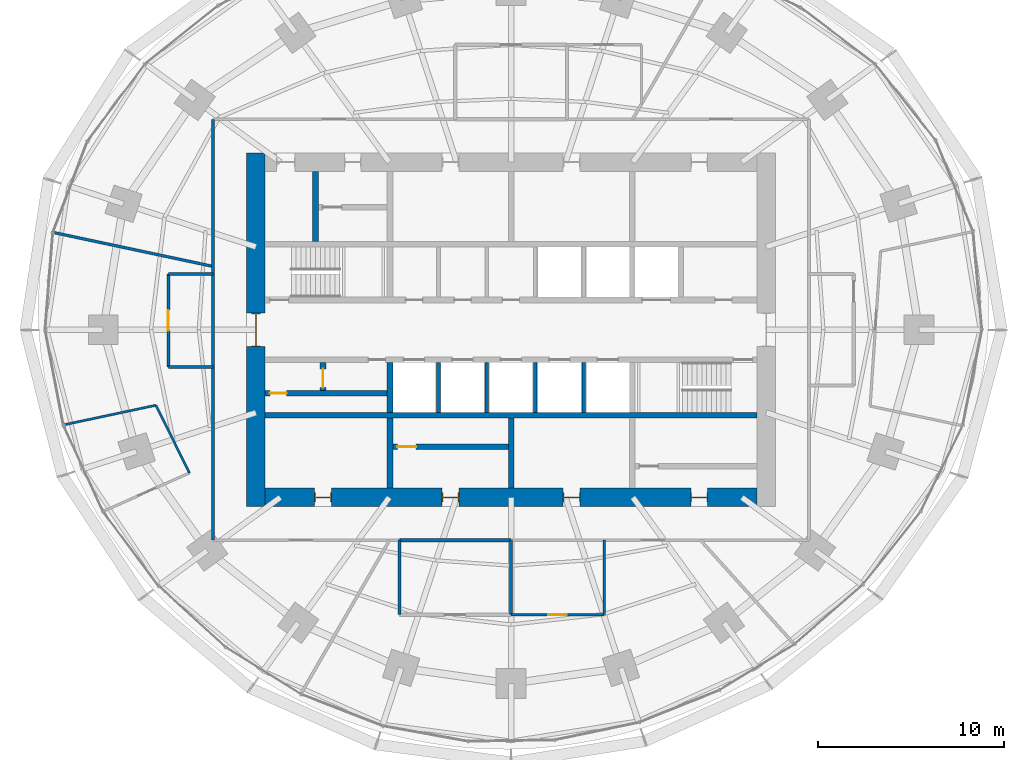
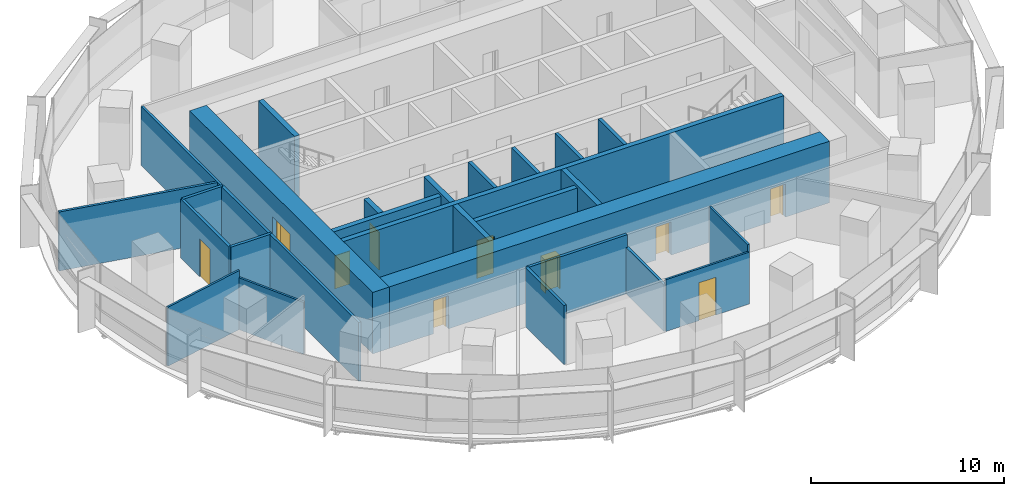
# One storey, part 10 of 14: 28 walls, 10 doors, 10 openings.
"""IFC4 building model written with IfcOpenShell, lengths in metres."""

from ifc_helpers import new_model, si_unit, direction, frame, frame_2d, origin, place, context, subcontext, project, spatial, rectangle, extrude, material, layer, layer_set, type_object, element, fill, save


model = new_model("IFC4")

# Units and contexts
model_context = context("Model", 3, precision=1e-05, world=origin(), true_north=direction((0.0, 1.0)))
body_context = subcontext(model_context, "Body", "Model", "MODEL_VIEW")
ifc_project = project(units=[si_unit("LENGTHUNIT", "METRE"), si_unit("AREAUNIT", "SQUARE_METRE"), si_unit("VOLUMEUNIT", "CUBIC_METRE"), si_unit("PLANEANGLEUNIT", "RADIAN"), si_unit("MASSUNIT", "GRAM", prefix="KILO")], contexts=[model_context])

# Site, building, storey
site_placement = place(None, origin())
site = spatial("IfcSite", under=ifc_project, at=site_placement, CompositionType="ELEMENT")
building_placement = place(site_placement, origin())
building = spatial("IfcBuilding", under=site, at=building_placement, Name="Marramba Exchange Tower", CompositionType="ELEMENT")
storey_placement = place(building_placement, frame((0.0, 0.0, 123.60009765625)))
storey = spatial("IfcBuildingStorey", under=building, at=storey_placement, Name="L29", CompositionType="ELEMENT", Elevation=123.60009765625)

# Walls
ifc_material_1 = material(Name="Plasterboard on staggered double steel studs, acoustic insulation", Category="steel")
ifc_layer_1 = layer(ifc_material_1, 0.169921875)
ifc_layer_set_1 = layer_set([ifc_layer_1], Name="Acoustic partition 170")
wall_type_1 = type_object("IfcWallType", Name="Acoustic partition 170", PredefinedType="PARTITIONING", material=ifc_layer_set_1)
wall_1_placement = place(storey_placement, frame((-18.39990234375, -2.0, 0.0), z_axis=(0.0, 0.0, 1.0), x_axis=(1.0, 0.0, 0.0)))
element("IfcWall", 1, at=wall_1_placement, inside=storey, type_object=wall_type_1, Name="Acoustic partition L29 01", PredefinedType="PARTITIONING", context=body_context, shape_type="SweptSolid", body=[
    extrude(rectangle(XDim=2.39990234375, YDim=0.169921875, at=frame_2d((1.199951171875, 0.0))), origin(), (0.0, 0.0, 1.0), 3.739990234375),
])
wall_2_placement = place(storey_placement, frame((-6.0, -11.300048828125, 0.0), z_axis=(0.0, 0.0, 1.0), x_axis=(0.0, -1.0, 0.0)))
element("IfcWall", 2, at=wall_2_placement, inside=storey, type_object=wall_type_1, Name="Acoustic partition L29 08", PredefinedType="PARTITIONING", context=body_context, shape_type="SweptSolid", body=[
    extrude(rectangle(XDim=4.0, YDim=0.169921875, at=frame_2d((2.0, 0.0))), origin(), (0.0, 0.0, 1.0), 3.739990234375),
])
wall_3_placement = place(storey_placement, frame((0.0, -11.300048828125, 0.0), z_axis=(0.0, 0.0, 1.0), x_axis=(-1.0, 0.0, 0.0)))
element("IfcWall", 3, at=wall_3_placement, inside=storey, type_object=wall_type_1, Name="Acoustic partition L29 09", PredefinedType="PARTITIONING", context=body_context, shape_type="SweptSolid", body=[
    extrude(rectangle(XDim=6.0, YDim=0.169921875, at=frame_2d((3.0, 0.0))), origin(), (0.0, 0.0, 1.0), 3.739990234375),
])
wall_4_placement = place(storey_placement, frame((0.0, -11.300048828125, 0.0), z_axis=(0.0, 0.0, 1.0), x_axis=(0.0, -1.0, 0.0)))
element("IfcWall", 4, at=wall_4_placement, inside=storey, type_object=wall_type_1, Name="Acoustic partition L29 11", PredefinedType="PARTITIONING", context=body_context, shape_type="SweptSolid", body=[
    extrude(rectangle(XDim=4.0, YDim=0.169921875, at=frame_2d((2.0, 0.0))), origin(), (0.0, 0.0, 1.0), 2.93994140625),
])
wall_5_placement = place(storey_placement, frame((-16.0, 3.0, 0.0), z_axis=(0.0, 0.0, 1.0), x_axis=(-1.0, 0.0, 0.0)))
element("IfcWall", 5, at=wall_5_placement, inside=storey, type_object=wall_type_1, Name="Acoustic partition L29 36", PredefinedType="PARTITIONING", context=body_context, shape_type="SweptSolid", body=[
    extrude(rectangle(XDim=2.39990234375, YDim=0.169921875, at=frame_2d((1.199951171875, 0.0))), origin(), (0.0, 0.0, 1.0), 3.739990234375),
])
wall_6_placement = place(storey_placement, frame((-16.0, -2.0, 0.0), z_axis=(0.0, 0.0, 1.0), x_axis=(0.0, 1.0, 0.0)))
element("IfcWall", 6, at=wall_6_placement, inside=storey, type_object=wall_type_1, Name="Acoustic partition L29 37", PredefinedType="PARTITIONING", context=body_context, shape_type="SweptSolid", body=[
    extrude(rectangle(XDim=5.0, YDim=0.169921875, at=frame_2d((2.5, 0.0))), origin(), (0.0, 0.0, 1.0), 3.739990234375),
])

# Wall, opening, door
wall_7_placement = place(storey_placement, frame((-18.39990234375, 3.0, 0.0), z_axis=(0.0, 0.0, 1.0), x_axis=(0.0, -1.0, 0.0)))
wall_7 = element("IfcWall", 7, at=wall_7_placement, inside=storey, type_object=wall_type_1, Name="Acoustic partition L29 38", PredefinedType="PARTITIONING", context=body_context, shape_type="SweptSolid", body=[
    extrude(rectangle(XDim=5.0, YDim=0.169921875, at=frame_2d((2.5, 0.0))), origin(), (0.0, 0.0, 1.0), 3.739990234375),
])
opening_1_placement = place(wall_7_placement, frame((1.949951171875, 0.0, 0.0)))
opening_1 = element("IfcOpeningElement", 8, at=opening_1_placement, cuts=wall_7, Name="Opening D15", PredefinedType="OPENING", context=body_context, shape_type="SweptSolid", body=[
    extrude(rectangle(XDim=1.10009765625, YDim=2.39990234375, at=frame_2d((0.550048828125, 1.199951171875))), frame((0.0, 0.094970703125, 0.0), z_axis=(0.0, -1.0, 0.0), x_axis=(1.0, 0.0, 0.0)), (0.0, 0.0, 1.0), 0.18994140625),
])
ifc_material_2 = material(Name="Timber door", Category="wood")
door_type_1 = type_object("IfcDoorType", Name="Glazed meeting room door 1100x2400", OperationType="SINGLE_SWING_LEFT", PredefinedType="DOOR", material=ifc_material_2)
door_1_placement = place(opening_1_placement, origin())
door_1 = element("IfcDoor", 9, at=door_1_placement, inside=storey, type_object=door_type_1, Name="D15 Meeting Room 3 L29", OperationType="SINGLE_SWING_RIGHT", OverallHeight=2.39990234375, OverallWidth=1.10009765625, PredefinedType="DOOR", context=body_context, shape_type="SweptSolid", body=[
    extrude(rectangle(XDim=1.10009765625, YDim=2.39990234375, at=frame_2d((0.550048828125, 1.199951171875))), frame((0.0, 0.02490234375, 0.0), z_axis=(0.0, -1.0, 0.0), x_axis=(1.0, 0.0, 0.0)), (0.0, 0.0, 1.0), 0.050048828125),
])
fill(opening_1, door_1)

# Walls
ifc_material_3 = material(Name="Concrete N50", Category="concrete")
ifc_layer_2 = layer(ifc_material_3, 0.199951171875)
ifc_layer_set_2 = layer_set([ifc_layer_2], Name="Core shaft wall 200")
wall_type_2 = type_object("IfcWallType", Name="Core shaft wall 200", PredefinedType="SHEAR", material=ifc_layer_set_2)
for number, where, z_axis, x_axis, name in (
    (10, (-3.89990234375, -1.75, 0.0), (0.0, 0.0, 1.0), (0.0, -1.0, 0.0), "Core wall SHS1 L29"),
    (11, (-1.300048828125, -1.75, 0.0), (0.0, 0.0, 1.0), (0.0, -1.0, 0.0), "Core wall SHS2 L29"),
    (12, (1.300048828125, -1.75, 0.0), (0.0, 0.0, 1.0), (0.0, -1.0, 0.0), "Core wall SHS3 L29"),
    (13, (3.89990234375, -1.75, 0.0), (0.0, 0.0, 1.0), (0.0, -1.0, 0.0), "Core wall SHS4 L29"),
):
    element("IfcWall", number, at=place(storey_placement, frame(where, z_axis=z_axis, x_axis=x_axis)), inside=storey, type_object=wall_type_2, Name=name, PredefinedType="SHEAR", context=body_context, shape_type="SweptSolid", body=[
        extrude(rectangle(XDim=2.699951171875, YDim=0.199951171875, at=frame_2d((1.35009765625, 0.0))), origin(), (0.0, 0.0, 1.0), 3.89990234375),
    ])

# Wall, openings, doors
ifc_layer_3 = layer(ifc_material_3, 1.0)
ifc_layer_set_3 = layer_set([ifc_layer_3], Name="Core wall 1000")
wall_type_3 = type_object("IfcWallType", Name="Core wall 1000", PredefinedType="SHEAR", material=ifc_layer_set_3)
wall_8_placement = place(storey_placement, frame((-13.199951171875, -9.0, 0.0), z_axis=(0.0, 0.0, 1.0), x_axis=(1.0, 0.0, 0.0)))
wall_8 = element("IfcWall", 14, at=wall_8_placement, inside=storey, type_object=wall_type_3, Name="Core wall S L29", PredefinedType="SHEAR", context=body_context, shape_type="SweptSolid", body=[
    extrude(rectangle(XDim=26.39990234375, YDim=1.0, at=frame_2d((13.199951171875, 0.0))), origin(), (0.0, 0.0, 1.0), 3.89990234375),
])
opening_2_placement = place(wall_8_placement, frame((2.64990234375, 0.0, 0.0)))
opening_2 = element("IfcOpeningElement", 15, at=opening_2_placement, cuts=wall_8, Name="Opening D5", PredefinedType="OPENING", context=body_context, shape_type="SweptSolid", body=[
    extrude(rectangle(XDim=0.89990234375, YDim=2.10009765625, at=frame_2d((0.449951171875, 1.050048828125))), frame((0.0, 0.510009765625, 0.0), z_axis=(0.0, -1.0, 0.0), x_axis=(1.0, 0.0, 0.0)), (0.0, 0.0, 1.0), 1.02001953125),
])
opening_3_placement = place(wall_8_placement, frame((9.5, 0.0, 0.0)))
opening_3 = element("IfcOpeningElement", 16, at=opening_3_placement, cuts=wall_8, Name="Opening D5", PredefinedType="OPENING", context=body_context, shape_type="SweptSolid", body=[
    extrude(rectangle(XDim=0.89990234375, YDim=2.10009765625, at=frame_2d((0.449951171875, 1.050048828125))), frame((0.0, 0.510009765625, 0.0), z_axis=(0.0, -1.0, 0.0), x_axis=(1.0, 0.0, 0.0)), (0.0, 0.0, 1.0), 1.02001953125),
])
opening_4_placement = place(wall_8_placement, frame((16.0, 0.0, 0.0)))
opening_4 = element("IfcOpeningElement", 17, at=opening_4_placement, cuts=wall_8, Name="Opening D5", PredefinedType="OPENING", context=body_context, shape_type="SweptSolid", body=[
    extrude(rectangle(XDim=0.89990234375, YDim=2.10009765625, at=frame_2d((0.449951171875, 1.050048828125))), frame((0.0, 0.510009765625, 0.0), z_axis=(0.0, -1.0, 0.0), x_axis=(1.0, 0.0, 0.0)), (0.0, 0.0, 1.0), 1.02001953125),
])
opening_5_placement = place(wall_8_placement, frame((22.85009765625, 0.0, 0.0)))
opening_5 = element("IfcOpeningElement", 18, at=opening_5_placement, cuts=wall_8, Name="Opening D5", PredefinedType="OPENING", context=body_context, shape_type="SweptSolid", body=[
    extrude(rectangle(XDim=0.89990234375, YDim=2.10009765625, at=frame_2d((0.449951171875, 1.050048828125))), frame((0.0, 0.510009765625, 0.0), z_axis=(0.0, -1.0, 0.0), x_axis=(1.0, 0.0, 0.0)), (0.0, 0.0, 1.0), 1.02001953125),
])
ifc_material_4 = material(Name="Steel-framed door", Category="steel")
door_type_2 = type_object("IfcDoorType", Name="Service door 900x2100", OperationType="SINGLE_SWING_LEFT", PredefinedType="DOOR", material=ifc_material_4)
door_2_placement = place(opening_2_placement, origin())
door_2 = element("IfcDoor", 19, at=door_2_placement, inside=storey, type_object=door_type_2, Name="D5 ahu L29", OperationType="SINGLE_SWING_LEFT", OverallHeight=2.10009765625, OverallWidth=0.89990234375, PredefinedType="DOOR", context=body_context, shape_type="SweptSolid", body=[
    extrude(rectangle(XDim=0.81982421875, YDim=2.06005859375, at=frame_2d((0.449951171875, 1.030029296875))), frame((0.0, 0.02490234375, 0.0), z_axis=(0.0, -1.0, 0.0), x_axis=(1.0, 0.0, 0.0)), (0.0, 0.0, 1.0), 0.050048828125),
    extrude(rectangle(XDim=0.04, YDim=2.10009765625, at=frame_2d((0.02001953125, 1.050048828125))), frame((0.0, 0.25, 0.0), z_axis=(0.0, -1.0, 0.0), x_axis=(1.0, 0.0, 0.0)), (0.0, 0.0, 1.0), 0.5),
    extrude(rectangle(XDim=0.04, YDim=2.10009765625, at=frame_2d((0.8798828125, 1.050048828125))), frame((0.0, 0.25, 0.0), z_axis=(0.0, -1.0, 0.0), x_axis=(1.0, 0.0, 0.0)), (0.0, 0.0, 1.0), 0.5),
    extrude(rectangle(XDim=0.81982421875, YDim=0.04, at=frame_2d((0.449951171875, 2.080078125))), frame((0.0, 0.25, 0.0), z_axis=(0.0, -1.0, 0.0), x_axis=(1.0, 0.0, 0.0)), (0.0, 0.0, 1.0), 0.5),
])
fill(opening_2, door_2)
door_3_placement = place(opening_3_placement, origin())
door_3 = element("IfcDoor", 20, at=door_3_placement, inside=storey, type_object=door_type_2, Name="D5 store L29", OperationType="SINGLE_SWING_RIGHT", OverallHeight=2.10009765625, OverallWidth=0.89990234375, PredefinedType="DOOR", context=body_context, shape_type="SweptSolid", body=[
    extrude(rectangle(XDim=0.81982421875, YDim=2.06005859375, at=frame_2d((0.449951171875, 1.030029296875))), frame((0.0, 0.02490234375, 0.0), z_axis=(0.0, -1.0, 0.0), x_axis=(1.0, 0.0, 0.0)), (0.0, 0.0, 1.0), 0.050048828125),
    extrude(rectangle(XDim=0.04, YDim=2.10009765625, at=frame_2d((0.02001953125, 1.050048828125))), frame((0.0, 0.25, 0.0), z_axis=(0.0, -1.0, 0.0), x_axis=(1.0, 0.0, 0.0)), (0.0, 0.0, 1.0), 0.5),
    extrude(rectangle(XDim=0.04, YDim=2.10009765625, at=frame_2d((0.8798828125, 1.050048828125))), frame((0.0, 0.25, 0.0), z_axis=(0.0, -1.0, 0.0), x_axis=(1.0, 0.0, 0.0)), (0.0, 0.0, 1.0), 0.5),
    extrude(rectangle(XDim=0.81982421875, YDim=0.04, at=frame_2d((0.449951171875, 2.080078125))), frame((0.0, 0.25, 0.0), z_axis=(0.0, -1.0, 0.0), x_axis=(1.0, 0.0, 0.0)), (0.0, 0.0, 1.0), 0.5),
])
fill(opening_3, door_3)
door_4_placement = place(opening_4_placement, origin())
door_4 = element("IfcDoor", 21, at=door_4_placement, inside=storey, type_object=door_type_2, Name="D5 switch L29", OperationType="SINGLE_SWING_RIGHT", OverallHeight=2.10009765625, OverallWidth=0.89990234375, PredefinedType="DOOR", context=body_context, shape_type="SweptSolid", body=[
    extrude(rectangle(XDim=0.81982421875, YDim=2.06005859375, at=frame_2d((0.449951171875, 1.030029296875))), frame((0.0, 0.02490234375, 0.0), z_axis=(0.0, -1.0, 0.0), x_axis=(1.0, 0.0, 0.0)), (0.0, 0.0, 1.0), 0.050048828125),
    extrude(rectangle(XDim=0.04, YDim=2.10009765625, at=frame_2d((0.02001953125, 1.050048828125))), frame((0.0, 0.25, 0.0), z_axis=(0.0, -1.0, 0.0), x_axis=(1.0, 0.0, 0.0)), (0.0, 0.0, 1.0), 0.5),
    extrude(rectangle(XDim=0.04, YDim=2.10009765625, at=frame_2d((0.8798828125, 1.050048828125))), frame((0.0, 0.25, 0.0), z_axis=(0.0, -1.0, 0.0), x_axis=(1.0, 0.0, 0.0)), (0.0, 0.0, 1.0), 0.5),
    extrude(rectangle(XDim=0.81982421875, YDim=0.04, at=frame_2d((0.449951171875, 2.080078125))), frame((0.0, 0.25, 0.0), z_axis=(0.0, -1.0, 0.0), x_axis=(1.0, 0.0, 0.0)), (0.0, 0.0, 1.0), 0.5),
])
fill(opening_4, door_4)
door_5_placement = place(opening_5_placement, origin())
door_5 = element("IfcDoor", 22, at=door_5_placement, inside=storey, type_object=door_type_2, Name="D5 cstore L29", OperationType="SINGLE_SWING_RIGHT", OverallHeight=2.10009765625, OverallWidth=0.89990234375, PredefinedType="DOOR", context=body_context, shape_type="SweptSolid", body=[
    extrude(rectangle(XDim=0.81982421875, YDim=2.06005859375, at=frame_2d((0.449951171875, 1.030029296875))), frame((0.0, 0.02490234375, 0.0), z_axis=(0.0, -1.0, 0.0), x_axis=(1.0, 0.0, 0.0)), (0.0, 0.0, 1.0), 0.050048828125),
    extrude(rectangle(XDim=0.04, YDim=2.10009765625, at=frame_2d((0.02001953125, 1.050048828125))), frame((0.0, 0.25, 0.0), z_axis=(0.0, -1.0, 0.0), x_axis=(1.0, 0.0, 0.0)), (0.0, 0.0, 1.0), 0.5),
    extrude(rectangle(XDim=0.04, YDim=2.10009765625, at=frame_2d((0.8798828125, 1.050048828125))), frame((0.0, 0.25, 0.0), z_axis=(0.0, -1.0, 0.0), x_axis=(1.0, 0.0, 0.0)), (0.0, 0.0, 1.0), 0.5),
    extrude(rectangle(XDim=0.81982421875, YDim=0.04, at=frame_2d((0.449951171875, 2.080078125))), frame((0.0, 0.25, 0.0), z_axis=(0.0, -1.0, 0.0), x_axis=(1.0, 0.0, 0.0)), (0.0, 0.0, 1.0), 0.5),
])
fill(opening_5, door_5)

# Wall, opening, door
wall_9_placement = place(storey_placement, frame((-13.699951171875, 9.5, 0.0), z_axis=(0.0, 0.0, 1.0), x_axis=(0.0, -1.0, 0.0)))
wall_9 = element("IfcWall", 23, at=wall_9_placement, inside=storey, type_object=wall_type_3, Name="Core wall W L29", PredefinedType="SHEAR", context=body_context, shape_type="SweptSolid", body=[
    extrude(rectangle(XDim=19.0, YDim=1.0, at=frame_2d((9.5, 0.0))), origin(), (0.0, 0.0, 1.0), 3.89990234375),
])
opening_6_placement = place(wall_9_placement, frame((8.60009765625, 0.0, 0.0)))
opening_6 = element("IfcOpeningElement", 24, at=opening_6_placement, cuts=wall_9, Name="Opening D1", PredefinedType="OPENING", context=body_context, shape_type="SweptSolid", body=[
    extrude(rectangle(XDim=1.800048828125, YDim=2.39990234375, at=frame_2d((0.89990234375, 1.199951171875))), frame((0.0, 0.510009765625, 0.0), z_axis=(0.0, -1.0, 0.0), x_axis=(1.0, 0.0, 0.0)), (0.0, 0.0, 1.0), 1.02001953125),
])
door_type_3 = type_object("IfcDoorType", Name="Lobby exit door 1800x2400", OperationType="DOUBLE_DOOR_SINGLE_SWING", PredefinedType="DOOR", material=ifc_material_4)
door_6_placement = place(opening_6_placement, origin())
door_6 = element("IfcDoor", 25, at=door_6_placement, inside=storey, type_object=door_type_3, Name="D1 lobby exit west L29", OperationType="DOUBLE_DOOR_SINGLE_SWING", OverallHeight=2.39990234375, OverallWidth=1.800048828125, PredefinedType="DOOR", context=body_context, shape_type="SweptSolid", body=[
    extrude(rectangle(XDim=1.719970703125, YDim=2.35986328125, at=frame_2d((0.89990234375, 1.179931640625))), frame((0.0, 0.02490234375, 0.0), z_axis=(0.0, -1.0, 0.0), x_axis=(1.0, 0.0, 0.0)), (0.0, 0.0, 1.0), 0.050048828125),
    extrude(rectangle(XDim=0.04, YDim=2.39990234375, at=frame_2d((0.02001953125, 1.199951171875))), frame((0.0, 0.25, 0.0), z_axis=(0.0, -1.0, 0.0), x_axis=(1.0, 0.0, 0.0)), (0.0, 0.0, 1.0), 0.5),
    extrude(rectangle(XDim=0.04, YDim=2.39990234375, at=frame_2d((1.780029296875, 1.199951171875))), frame((0.0, 0.25, 0.0), z_axis=(0.0, -1.0, 0.0), x_axis=(1.0, 0.0, 0.0)), (0.0, 0.0, 1.0), 0.5),
    extrude(rectangle(XDim=1.719970703125, YDim=0.04, at=frame_2d((0.89990234375, 2.3798828125))), frame((0.0, 0.25, 0.0), z_axis=(0.0, -1.0, 0.0), x_axis=(1.0, 0.0, 0.0)), (0.0, 0.0, 1.0), 0.5),
])
fill(opening_6, door_6)

# Walls
ifc_layer_4 = layer(ifc_material_3, 0.300048828125)
ifc_layer_set_4 = layer_set([ifc_layer_4], Name="Core wall 300")
wall_type_4 = type_object("IfcWallType", Name="Core wall 300", PredefinedType="SHEAR", material=ifc_layer_set_4)
wall_10_placement = place(storey_placement, frame((-13.199951171875, -4.60009765625, 0.0), z_axis=(0.0, 0.0, 1.0), x_axis=(1.0, 0.0, 0.0)))
element("IfcWall", 26, at=wall_10_placement, inside=storey, type_object=wall_type_4, Name="Core wall BS L29", PredefinedType="SHEAR", context=body_context, shape_type="SweptSolid", body=[
    extrude(rectangle(XDim=26.39990234375, YDim=0.300048828125, at=frame_2d((13.199951171875, 0.0))), origin(), (0.0, 0.0, 1.0), 3.89990234375),
])
wall_11_placement = place(storey_placement, frame((-6.5, -1.75, 0.0), z_axis=(0.0, 0.0, 1.0), x_axis=(0.0, -1.0, 0.0)))
element("IfcWall", 27, at=wall_11_placement, inside=storey, type_object=wall_type_4, Name="Core wall X0Sa L29", PredefinedType="SHEAR", context=body_context, shape_type="SweptSolid", body=[
    extrude(rectangle(XDim=2.699951171875, YDim=0.300048828125, at=frame_2d((1.35009765625, 0.0))), origin(), (0.0, 0.0, 1.0), 3.89990234375),
])
for number, where, z_axis, x_axis, name in (
    (28, (-6.5, -4.75, 0.0), (0.0, 0.0, 1.0), (0.0, -1.0, 0.0), "Core wall X0Sb L29"),
    (29, (0.0, -4.75, 0.0), (0.0, 0.0, 1.0), (0.0, -1.0, 0.0), "Core wall MS L29"),
    (30, (-10.5, 4.75, 0.0), (0.0, 0.0, 1.0), (0.0, 1.0, 0.0), "Core wall WD L29"),
):
    element("IfcWall", number, at=place(storey_placement, frame(where, z_axis=z_axis, x_axis=x_axis)), inside=storey, type_object=wall_type_4, Name=name, PredefinedType="SHEAR", context=body_context, shape_type="SweptSolid", body=[
        extrude(rectangle(XDim=3.75, YDim=0.300048828125, at=frame_2d((1.875, 0.0))), origin(), (0.0, 0.0, 1.0), 3.89990234375),
    ])
ifc_material_5 = material(Name="Plasterboard on steel studs", Category="steel")
ifc_layer_5 = layer(ifc_material_5, 0.1201171875)
ifc_layer_set_5 = layer_set([ifc_layer_5], Name="Partition 120")
wall_type_5 = type_object("IfcWallType", Name="Partition 120", PredefinedType="PARTITIONING", material=ifc_layer_set_5)
wall_12_placement = place(storey_placement, frame((-19.069580078125, -4.053466796875, 0.0), z_axis=(0.0, 0.0, 1.0), x_axis=(-0.978149046495, -0.207904888932, 0.0)))
element("IfcWall", 31, at=wall_12_placement, inside=storey, type_object=wall_type_5, Name="Partition L29 02", PredefinedType="PARTITIONING", context=body_context, shape_type="SweptSolid", body=[
    extrude(rectangle(XDim=5.000244140625, YDim=0.1201171875, at=frame_2d((2.5, 0.0))), origin(), (0.0, 0.0, 1.0), 3.739990234375),
])
wall_13_placement = place(storey_placement, frame((-17.268310546875, -7.6884765625, 0.0), z_axis=(0.0, 0.0, 1.0), x_axis=(-0.444009146511, 0.896022252968, 0.0)))
element("IfcWall", 32, at=wall_13_placement, inside=storey, type_object=wall_type_5, Name="Partition L29 03", PredefinedType="PARTITIONING", context=body_context, shape_type="SweptSolid", body=[
    extrude(rectangle(XDim=4.056884765625, YDim=0.1201171875, at=frame_2d((2.0283203125, 0.0))), origin(), (0.0, 0.0, 1.0), 3.285888671875),
])

# Wall, opening, door
wall_14_placement = place(storey_placement, frame((0.0, -15.300048828125, 0.0), z_axis=(0.0, 0.0, 1.0), x_axis=(1.0, 0.0, 0.0)))
wall_14 = element("IfcWall", 33, at=wall_14_placement, inside=storey, type_object=wall_type_5, Name="Partition L29 12", PredefinedType="PARTITIONING", context=body_context, shape_type="SweptSolid", body=[
    extrude(rectangle(XDim=5.0, YDim=0.1201171875, at=frame_2d((2.5, 0.0))), origin(), (0.0, 0.0, 1.0), 3.285888671875),
])
opening_7_placement = place(wall_14_placement, frame((2.0, 0.0, 0.0)))
opening_7 = element("IfcOpeningElement", 34, at=opening_7_placement, cuts=wall_14, Name="Opening D9", PredefinedType="OPENING", context=body_context, shape_type="SweptSolid", body=[
    extrude(rectangle(XDim=1.0, YDim=2.39990234375, at=frame_2d((0.5, 1.199951171875))), frame((0.0, 0.070068359375, 0.0), z_axis=(0.0, -1.0, 0.0), x_axis=(1.0, 0.0, 0.0)), (0.0, 0.0, 1.0), 0.14013671875),
])
door_type_4 = type_object("IfcDoorType", Name="Room door 1000x2400", OperationType="SINGLE_SWING_LEFT", PredefinedType="DOOR", material=ifc_material_2)
door_7_placement = place(opening_7_placement, origin())
door_7 = element("IfcDoor", 35, at=door_7_placement, inside=storey, type_object=door_type_4, Name="D9 Pantry 2 L29", OperationType="SINGLE_SWING_RIGHT", OverallHeight=2.39990234375, OverallWidth=1.0, PredefinedType="DOOR", context=body_context, shape_type="SweptSolid", body=[
    extrude(rectangle(XDim=1.0, YDim=2.39990234375, at=frame_2d((0.5, 1.199951171875))), frame((0.0, 0.02490234375, 0.0), z_axis=(0.0, -1.0, 0.0), x_axis=(1.0, 0.0, 0.0)), (0.0, 0.0, 1.0), 0.050048828125),
])
fill(opening_7, door_7)

# Wall
wall_15_placement = place(storey_placement, frame((5.0, -15.300048828125, 0.0), z_axis=(0.0, 0.0, 1.0), x_axis=(0.0, 1.0, 0.0)))
element("IfcWall", 36, at=wall_15_placement, inside=storey, type_object=wall_type_5, Name="Partition L29 13", PredefinedType="PARTITIONING", context=body_context, shape_type="SweptSolid", body=[
    extrude(rectangle(XDim=4.0, YDim=0.1201171875, at=frame_2d((2.0, 0.0))), origin(), (0.0, 0.0, 1.0), 3.739990234375),
])

# Wall, opening, door
ifc_material_6 = material(Name="Core-filled concrete blockwork", Category="masonry")
ifc_layer_6 = layer(ifc_material_6, 0.300048828125)
ifc_layer_set_6 = layer_set([ifc_layer_6], Name="Riser enclosure wall 300")
wall_type_6 = type_object("IfcWallType", Name="Riser enclosure wall 300", PredefinedType="SOLIDWALL", material=ifc_layer_set_6)
wall_16_placement = place(storey_placement, frame((-13.199951171875, -3.39990234375, 0.0), z_axis=(0.0, 0.0, 1.0), x_axis=(1.0, 0.0, 0.0)))
wall_16 = element("IfcWall", 37, at=wall_16_placement, inside=storey, type_object=wall_type_6, Name="Riser enclosure wall L29", PredefinedType="SOLIDWALL", context=body_context, shape_type="SweptSolid", body=[
    extrude(rectangle(XDim=6.550048828125, YDim=0.300048828125, at=frame_2d((3.27490234375, 0.0))), origin(), (0.0, 0.0, 1.0), 3.739990234375),
])
opening_8_placement = place(wall_16_placement, frame((0.25, 0.0, 0.0)))
opening_8 = element("IfcOpeningElement", 38, at=opening_8_placement, cuts=wall_16, Name="Opening D5", PredefinedType="OPENING", context=body_context, shape_type="SweptSolid", body=[
    extrude(rectangle(XDim=0.89990234375, YDim=2.10009765625, at=frame_2d((0.449951171875, 1.050048828125))), frame((0.0, 0.159912109375, 0.0), z_axis=(0.0, -1.0, 0.0), x_axis=(1.0, 0.0, 0.0)), (0.0, 0.0, 1.0), 0.320068359375),
])
door_8_placement = place(opening_8_placement, origin())
door_8 = element("IfcDoor", 39, at=door_8_placement, inside=storey, type_object=door_type_2, Name="D5 electrical riser back L29", OperationType="SINGLE_SWING_LEFT", OverallHeight=2.10009765625, OverallWidth=0.89990234375, PredefinedType="DOOR", context=body_context, shape_type="SweptSolid", body=[
    extrude(rectangle(XDim=0.89990234375, YDim=2.10009765625, at=frame_2d((0.449951171875, 1.050048828125))), frame((0.0, 0.02490234375, 0.0), z_axis=(0.0, -1.0, 0.0), x_axis=(1.0, 0.0, 0.0)), (0.0, 0.0, 1.0), 0.050048828125),
])
fill(opening_8, door_8)

ifc_material_7 = material(Name="Plasterboard on steel studs, insulated, unrated", Category="steel")
ifc_layer_7 = layer(ifc_material_7, 0.300048828125)
ifc_layer_set_7 = layer_set([ifc_layer_7], Name="Store partition 300")
wall_type_7 = type_object("IfcWallType", Name="Store partition 300", PredefinedType="PARTITIONING", material=ifc_layer_set_7)
wall_17_placement = place(storey_placement, frame((-6.35009765625, -6.27197265625, 0.0), z_axis=(0.0, 0.0, 1.0), x_axis=(1.0, 0.0, 0.0)))
wall_17 = element("IfcWall", 40, at=wall_17_placement, inside=storey, type_object=wall_type_7, Name="Store partition L29 store", PredefinedType="PARTITIONING", context=body_context, shape_type="SweptSolid", body=[
    extrude(rectangle(XDim=6.2001953125, YDim=0.300048828125, at=frame_2d((3.10009765625, 0.0))), origin(), (0.0, 0.0, 1.0), 3.739990234375),
])
opening_9_placement = place(wall_17_placement, frame((0.25, 0.0, 0.0)))
opening_9 = element("IfcOpeningElement", 41, at=opening_9_placement, cuts=wall_17, Name="Opening D9", PredefinedType="OPENING", context=body_context, shape_type="SweptSolid", body=[
    extrude(rectangle(XDim=1.0, YDim=2.39990234375, at=frame_2d((0.5, 1.199951171875))), frame((0.0, 0.159912109375, 0.0), z_axis=(0.0, -1.0, 0.0), x_axis=(1.0, 0.0, 0.0)), (0.0, 0.0, 1.0), 0.320068359375),
])
door_9_placement = place(opening_9_placement, origin())
door_9 = element("IfcDoor", 42, at=door_9_placement, inside=storey, type_object=door_type_4, Name="D9 stationery store L29", OperationType="SINGLE_SWING_LEFT", OverallHeight=2.39990234375, OverallWidth=1.0, PredefinedType="DOOR", context=body_context, shape_type="SweptSolid", body=[
    extrude(rectangle(XDim=1.0, YDim=2.39990234375, at=frame_2d((0.5, 1.199951171875))), frame((0.0, 0.02490234375, 0.0), z_axis=(0.0, -1.0, 0.0), x_axis=(1.0, 0.0, 0.0)), (0.0, 0.0, 1.0), 0.050048828125),
])
fill(opening_9, door_9)

wall_18_placement = place(storey_placement, frame((-10.10009765625, -3.25, 0.0), z_axis=(0.0, 0.0, 1.0), x_axis=(0.0, 1.0, 0.0)))
wall_18 = element("IfcWall", 43, at=wall_18_placement, inside=storey, type_object=wall_type_7, Name="Store partition L29 tool store", PredefinedType="PARTITIONING", context=body_context, shape_type="SweptSolid", body=[
    extrude(rectangle(XDim=1.5, YDim=0.300048828125, at=frame_2d((0.75, 0.0))), origin(), (0.0, 0.0, 1.0), 3.739990234375),
])
opening_10_placement = place(wall_18_placement, frame((0.14990234375, 0.0, 0.0)))
opening_10 = element("IfcOpeningElement", 44, at=opening_10_placement, cuts=wall_18, Name="Opening D9", PredefinedType="OPENING", context=body_context, shape_type="SweptSolid", body=[
    extrude(rectangle(XDim=1.0, YDim=2.39990234375, at=frame_2d((0.5, 1.199951171875))), frame((0.0, 0.159912109375, 0.0), z_axis=(0.0, -1.0, 0.0), x_axis=(1.0, 0.0, 0.0)), (0.0, 0.0, 1.0), 0.320068359375),
])
door_10_placement = place(opening_10_placement, origin())
door_10 = element("IfcDoor", 45, at=door_10_placement, inside=storey, type_object=door_type_4, Name="D9 tool store L29", OperationType="SINGLE_SWING_LEFT", OverallHeight=2.39990234375, OverallWidth=1.0, PredefinedType="DOOR", context=body_context, shape_type="SweptSolid", body=[
    extrude(rectangle(XDim=1.0, YDim=2.39990234375, at=frame_2d((0.5, 1.199951171875))), frame((0.0, 0.02490234375, 0.0), z_axis=(0.0, -1.0, 0.0), x_axis=(1.0, 0.0, 0.0)), (0.0, 0.0, 1.0), 0.050048828125),
])
fill(opening_10, door_10)

# Walls
ifc_material_8 = material(Name="Fire-rated plasterboard on steel studs, acoustic insulation", Category="steel")
ifc_layer_8 = layer(ifc_material_8, 0.14990234375)
ifc_layer_set_8 = layer_set([ifc_layer_8], Name="Tenancy wall 150")
wall_type_8 = type_object("IfcWallType", Name="Tenancy wall 150", PredefinedType="PARTITIONING", material=ifc_layer_set_8)
wall_19_placement = place(storey_placement, frame((-16.0, -2.0, 0.0), z_axis=(0.0, 0.0, 1.0), x_axis=(0.0, -1.0, 0.0)))
element("IfcWall", 46, at=wall_19_placement, inside=storey, type_object=wall_type_8, Name="Tenancy wall L29 04", PredefinedType="PARTITIONING", context=body_context, shape_type="SweptSolid", body=[
    extrude(rectangle(XDim=9.300048828125, YDim=0.14990234375, at=frame_2d((4.64990234375, 0.0))), origin(), (0.0, 0.0, 1.0), 3.739990234375),
])
wall_20_placement = place(storey_placement, frame((-16.0, 11.300048828125, 0.0), z_axis=(0.0, 0.0, 1.0), x_axis=(0.0, -1.0, 0.0)))
element("IfcWall", 47, at=wall_20_placement, inside=storey, type_object=wall_type_8, Name="Tenancy wall L29 34", PredefinedType="PARTITIONING", context=body_context, shape_type="SweptSolid", body=[
    extrude(rectangle(XDim=8.300048828125, YDim=0.14990234375, at=frame_2d((4.14990234375, 0.0))), origin(), (0.0, 0.0, 1.0), 3.739990234375),
])
wall_21_placement = place(storey_placement, frame((-16.0, 3.40087890625, 0.0), z_axis=(0.0, 0.0, 1.0), x_axis=(-0.978149592602, 0.207902319596, 0.0)))
element("IfcWall", 48, at=wall_21_placement, inside=storey, type_object=wall_type_8, Name="Tenancy wall L29 35", PredefinedType="PARTITIONING", context=body_context, shape_type="SweptSolid", body=[
    extrude(rectangle(XDim=8.71337890625, YDim=0.14990234375, at=frame_2d((4.356689453125, 0.0))), origin(), (0.0, 0.0, 1.0), 3.739990234375),
])

save(model, "model.ifc")
